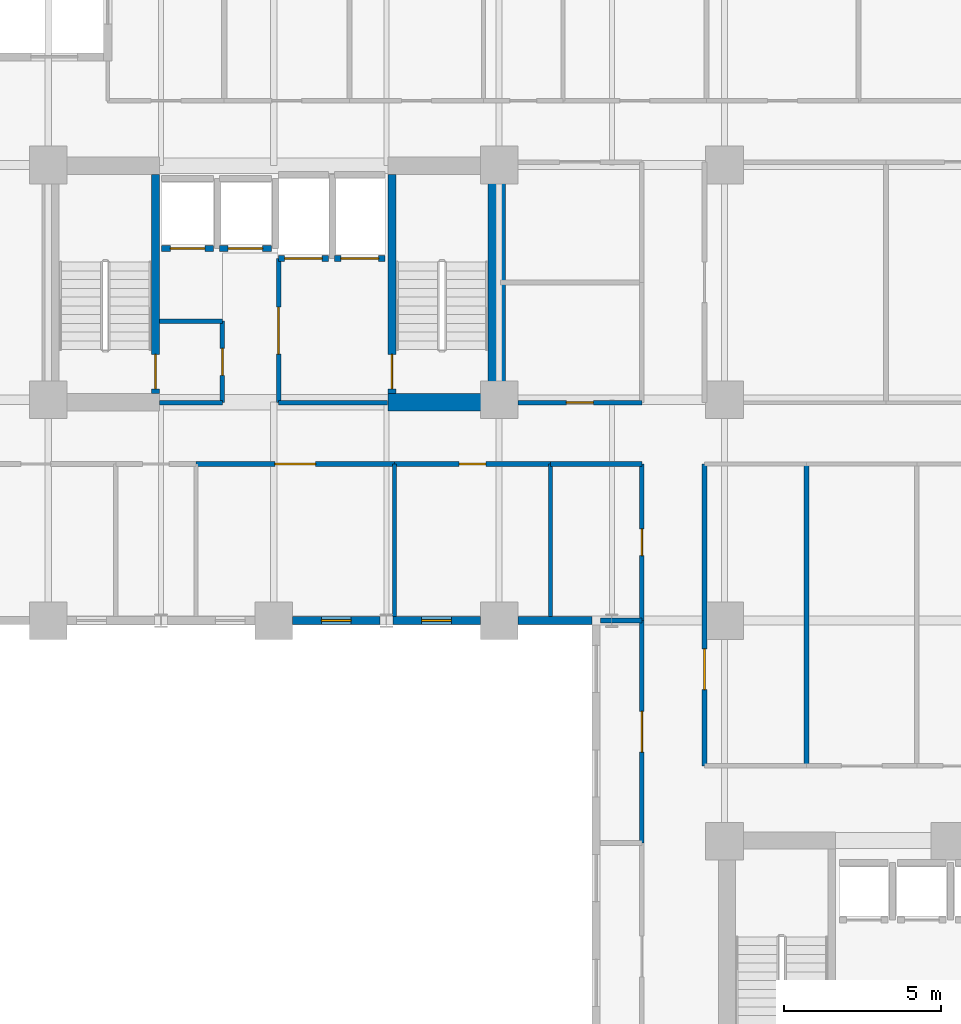
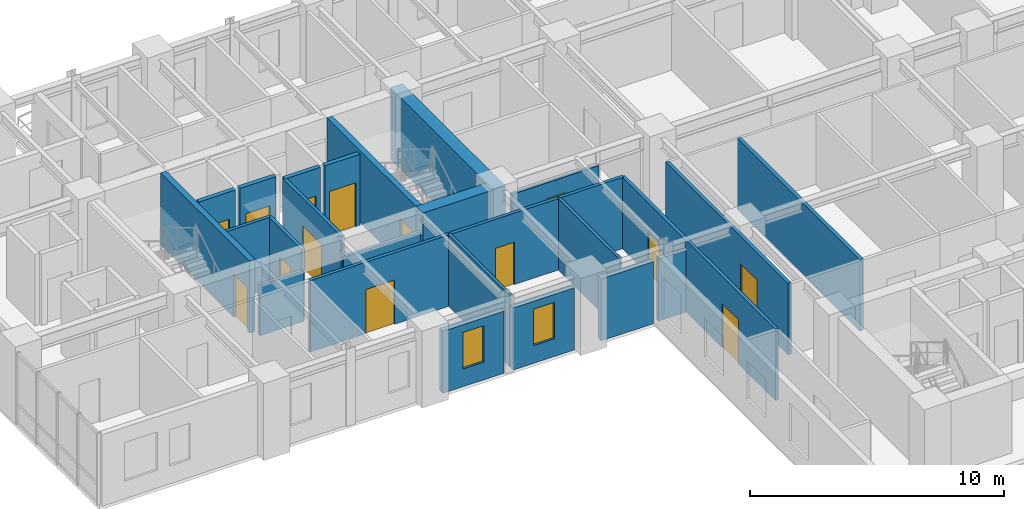
# One storey, part 9 of 18: 27 walls, 14 doors, 2 windows, 16 openings.
"""IFC4 building model written with IfcOpenShell, lengths in metres."""

from ifc_helpers import new_model, si_unit, direction, frame, frame_2d, origin, place, context, subcontext, project, spatial, rectangle, extrude, material, layer, layer_set, type_object, element, fill, save


model = new_model("IFC4")

# Units and contexts
model_context = context("Model", 3, precision=1e-05, world=origin(), true_north=direction((0.0, 1.0)))
body_context = subcontext(model_context, "Body", "Model", "MODEL_VIEW")
ifc_project = project(units=[si_unit("LENGTHUNIT", "METRE"), si_unit("AREAUNIT", "SQUARE_METRE"), si_unit("VOLUMEUNIT", "CUBIC_METRE"), si_unit("PLANEANGLEUNIT", "RADIAN"), si_unit("MASSUNIT", "GRAM", prefix="KILO")], contexts=[model_context])

# Site, building, storey
site_placement = place(None, origin())
site = spatial("IfcSite", under=ifc_project, at=site_placement, CompositionType="ELEMENT")
building_placement = place(site_placement, origin())
building = spatial("IfcBuilding", under=site, at=building_placement, Name="Kaliganga Portal Commons", CompositionType="ELEMENT")
storey_placement = place(building_placement, frame((0.0, 0.0, 123.0)))
storey = spatial("IfcBuildingStorey", under=building, at=storey_placement, Name="L31", CompositionType="ELEMENT", Elevation=123.0)

# Walls
ifc_material_1 = material(Name="Concrete C60/75", Category="concrete")
ifc_layer_1 = layer(ifc_material_1, 0.550048828125)
ifc_layer_set_1 = layer_set([ifc_layer_1], Name="Concrete C60/75")
wall_type_1 = type_object("IfcWallType", Name="WL-CORE-550", PredefinedType="SHEAR", material=ifc_layer_set_1)
wall_1_placement = place(storey_placement, frame((28.72509765625, 28.300048828125, 0.0), z_axis=(0.0, 0.0, 1.0), x_axis=(0.0, 1.0, 0.0)))
element("IfcWall", 1, at=wall_1_placement, inside=storey, type_object=wall_type_1, Name="Core A East Shear Wall L31", PredefinedType="SHEAR", context=body_context, shape_type="SweptSolid", body=[
    extrude(rectangle(XDim=8.099853515625, YDim=0.550048828125, at=frame_2d((4.0498046875, 0.0))), origin(), (0.0, 0.0, 1.0), 3.449951171875),
])
wall_2_placement = place(storey_placement, frame((25.25, 28.574951171875, 0.0), z_axis=(0.0, 0.0, 1.0), x_axis=(1.0, 0.0, 0.0)))
element("IfcWall", 2, at=wall_2_placement, inside=storey, type_object=wall_type_1, Name="Core A S-East Shear Wall L31", PredefinedType="SHEAR", context=body_context, shape_type="SweptSolid", body=[
    extrude(rectangle(XDim=3.199951171875, YDim=0.550048828125, at=frame_2d((1.60009765625, 0.0))), origin(), (0.0, 0.0, 1.0), 3.449951171875),
])

# Wall, opening, window
ifc_material_2 = material(Name="Insulated Aluminium-Clad Spandrel Assembly", Category="aluminium")
ifc_layer_2 = layer(ifc_material_2, 0.260009765625)
ifc_layer_set_2 = layer_set([ifc_layer_2], Name="Insulated Aluminium-Clad Spandrel Assembly")
wall_type_2 = type_object("IfcWallType", Name="WL-EXT-SPAND-260", PredefinedType="STANDARD", material=ifc_layer_set_2)
wall_3_placement = place(storey_placement, frame((24.994384765625, 21.60009765625, 0.0), z_axis=(0.0, 0.0, 1.0), x_axis=(-1.0, 0.0, 0.0)))
wall_3 = element("IfcWall", 3, at=wall_3_placement, inside=storey, type_object=wall_type_2, Name="Exterior Envelope Wall L31 P1-E10-S4", PredefinedType="STANDARD", context=body_context, shape_type="SweptSolid", body=[
    extrude(rectangle(XDim=2.79345703125, YDim=0.260009765625, at=frame_2d((1.396728515625, 0.0))), origin(), (0.0, 0.0, 1.0), 2.97998046875),
])
opening_1_placement = place(wall_3_placement, frame((0.921630859375, 0.0, 0.85009765625)))
opening_1 = element("IfcOpeningElement", 4, at=opening_1_placement, cuts=wall_3, Name="Opening W-04", PredefinedType="OPENING", context=body_context, shape_type="SweptSolid", body=[
    extrude(rectangle(XDim=0.949951171875, YDim=1.75, at=frame_2d((0.47509765625, 0.875))), frame((0.0, 0.14013671875, 0.0), z_axis=(0.0, -1.0, 0.0), x_axis=(1.0, 0.0, 0.0)), (0.0, 0.0, 1.0), 0.280029296875),
])
ifc_material_3 = material(Name="Thermally Broken Aluminium and Low-E Double Glazing", Category="aluminium")
window_type = type_object("IfcWindowType", Name="WIN-NARROW-950", PartitioningType="SINGLE_PANEL", PredefinedType="WINDOW", material=ifc_material_3)
window_1_placement = place(opening_1_placement, origin())
window_1 = element("IfcWindow", 5, at=window_1_placement, inside=storey, type_object=window_type, Name="Facade Window L31-P1E10S4-00", OverallHeight=1.75, OverallWidth=0.949951171875, PartitioningType="SINGLE_PANEL", PredefinedType="WINDOW", context=body_context, shape_type="SweptSolid", body=[
    extrude(rectangle(XDim=0.949951171875, YDim=1.75, at=frame_2d((0.47509765625, 0.875))), frame((0.0, 0.030029296875, 0.0), z_axis=(0.0, -1.0, 0.0), x_axis=(1.0, 0.0, 0.0)), (0.0, 0.0, 1.0), 0.06005859375),
])
fill(opening_1, window_1)

wall_4_placement = place(storey_placement, frame((28.198974609375, 21.60009765625, 0.0), z_axis=(0.0, 0.0, 1.0), x_axis=(-1.0, 0.0, 0.0)))
wall_4 = element("IfcWall", 6, at=wall_4_placement, inside=storey, type_object=wall_type_2, Name="Exterior Envelope Wall L31 P1-E10-S5", PredefinedType="STANDARD", context=body_context, shape_type="SweptSolid", body=[
    extrude(rectangle(XDim=2.79345703125, YDim=0.260009765625, at=frame_2d((1.396728515625, 0.0))), origin(), (0.0, 0.0, 1.0), 2.97998046875),
])
opening_2_placement = place(wall_4_placement, frame((0.921875, 0.0, 0.85009765625)))
opening_2 = element("IfcOpeningElement", 7, at=opening_2_placement, cuts=wall_4, Name="Opening W-04", PredefinedType="OPENING", context=body_context, shape_type="SweptSolid", body=[
    extrude(rectangle(XDim=0.949951171875, YDim=1.75, at=frame_2d((0.47509765625, 0.875))), frame((0.0, 0.14013671875, 0.0), z_axis=(0.0, -1.0, 0.0), x_axis=(1.0, 0.0, 0.0)), (0.0, 0.0, 1.0), 0.280029296875),
])
window_2_placement = place(opening_2_placement, origin())
window_2 = element("IfcWindow", 8, at=window_2_placement, inside=storey, type_object=window_type, Name="Facade Window L31-P1E10S5-00", OverallHeight=1.75, OverallWidth=0.949951171875, PartitioningType="SINGLE_PANEL", PredefinedType="WINDOW", context=body_context, shape_type="SweptSolid", body=[
    extrude(rectangle(XDim=0.949951171875, YDim=1.75, at=frame_2d((0.47509765625, 0.875))), frame((0.0, 0.030029296875, 0.0), z_axis=(0.0, -1.0, 0.0), x_axis=(1.0, 0.0, 0.0)), (0.0, 0.0, 1.0), 0.06005859375),
])
fill(opening_2, window_2)

# Wall
wall_5_placement = place(storey_placement, frame((31.764892578125, 21.60009765625, 0.0), z_axis=(0.0, 0.0, 1.0), x_axis=(-1.0, 0.0, 0.0)))
element("IfcWall", 9, at=wall_5_placement, inside=storey, type_object=wall_type_2, Name="Exterior Envelope Wall L31 P1-E10-S6", PredefinedType="STANDARD", context=body_context, shape_type="SweptSolid", body=[
    extrude(rectangle(XDim=2.364013671875, YDim=0.260009765625, at=frame_2d((1.18212890625, 0.0))), origin(), (0.0, 0.0, 1.0), 2.97998046875),
])

# Wall, opening, door
ifc_material_4 = material(Name="Fire-Rated Gypsum Board on Steel Stud", Category="steel")
ifc_layer_3 = layer(ifc_material_4, 0.14990234375)
ifc_layer_set_3 = layer_set([ifc_layer_3], Name="Fire-Rated Gypsum Board on Steel Stud")
wall_type_3 = type_object("IfcWallType", Name="WL-PART-CORR-150", PredefinedType="PARTITIONING", material=ifc_layer_set_3)
wall_6_placement = place(storey_placement, frame((35.360107421875, 16.9599609375, 0.0), z_axis=(0.0, 0.0, 1.0), x_axis=(0.0, 1.0, 0.0)))
wall_6 = element("IfcWall", 10, at=wall_6_placement, inside=storey, type_object=wall_type_3, Name="Interior Partition L31-004", PredefinedType="PARTITIONING", context=body_context, shape_type="SweptSolid", body=[
    extrude(rectangle(XDim=9.64013671875, YDim=0.14990234375, at=frame_2d((4.820068359375, 0.0))), origin(), (0.0, 0.0, 1.0), 3.429931640625),
])
opening_3_placement = place(wall_6_placement, frame((2.434814453125, 0.0, 0.0)))
opening_3 = element("IfcOpeningElement", 11, at=opening_3_placement, cuts=wall_6, Name="Opening RD-03", PredefinedType="OPENING", context=body_context, shape_type="SweptSolid", body=[
    extrude(rectangle(XDim=1.300048828125, YDim=2.1201171875, at=frame_2d((0.64990234375, 1.06005859375))), frame((0.0, 0.0849609375, 0.0), z_axis=(0.0, -1.0, 0.0), x_axis=(1.0, 0.0, 0.0)), (0.0, 0.0, 1.0), 0.169921875),
])
ifc_material_5 = material(Name="Glazed Timber Seminar Vision Door", Category="wood")
door_type_1 = type_object("IfcDoorType", Name="DR-STUDY-1300", OperationType="DOUBLE_DOOR_SINGLE_SWING", PredefinedType="DOOR", material=ifc_material_5)
door_1_placement = place(opening_3_placement, origin())
door_1 = element("IfcDoor", 12, at=door_1_placement, inside=storey, type_object=door_type_1, Name="Interior Door L31-BM01", OperationType="DOUBLE_DOOR_SINGLE_SWING", OverallHeight=2.1201171875, OverallWidth=1.300048828125, PredefinedType="DOOR", context=body_context, shape_type="SweptSolid", body=[
    extrude(rectangle(XDim=1.300048828125, YDim=2.1201171875, at=frame_2d((0.64990234375, 1.06005859375))), frame((0.0, 0.02490234375, 0.0), z_axis=(0.0, -1.0, 0.0), x_axis=(1.0, 0.0, 0.0)), (0.0, 0.0, 1.0), 0.050048828125),
])
fill(opening_3, door_1)

wall_7_placement = place(storey_placement, frame((33.360107421875, 14.5, 0.0), z_axis=(0.0, 0.0, 1.0), x_axis=(0.0, 1.0, 0.0)))
wall_7 = element("IfcWall", 13, at=wall_7_placement, inside=storey, type_object=wall_type_3, Name="Interior Partition L31-011", PredefinedType="PARTITIONING", context=body_context, shape_type="SweptSolid", body=[
    extrude(rectangle(XDim=7.10009765625, YDim=0.14990234375, at=frame_2d((3.550048828125, 0.0))), origin(), (0.0, 0.0, 1.0), 3.429931640625),
])
opening_4_placement = place(wall_7_placement, frame((2.89990234375, 0.0, 0.0)))
opening_4 = element("IfcOpeningElement", 14, at=opening_4_placement, cuts=wall_7, Name="Opening RD-03", PredefinedType="OPENING", context=body_context, shape_type="SweptSolid", body=[
    extrude(rectangle(XDim=1.300048828125, YDim=2.1201171875, at=frame_2d((0.64990234375, 1.06005859375))), frame((0.0, 0.0849609375, 0.0), z_axis=(0.0, -1.0, 0.0), x_axis=(1.0, 0.0, 0.0)), (0.0, 0.0, 1.0), 0.169921875),
])
door_2_placement = place(opening_4_placement, origin())
door_2 = element("IfcDoor", 15, at=door_2_placement, inside=storey, type_object=door_type_1, Name="Interior Door L31-KW02", OperationType="DOUBLE_DOOR_SINGLE_SWING", OverallHeight=2.1201171875, OverallWidth=1.300048828125, PredefinedType="DOOR", context=body_context, shape_type="SweptSolid", body=[
    extrude(rectangle(XDim=1.300048828125, YDim=2.1201171875, at=frame_2d((0.64990234375, 1.06005859375))), frame((0.0, 0.02490234375, 0.0), z_axis=(0.0, -1.0, 0.0), x_axis=(1.0, 0.0, 0.0)), (0.0, 0.0, 1.0), 0.050048828125),
])
fill(opening_4, door_2)

wall_8_placement = place(storey_placement, frame((19.1201171875, 26.60009765625, 0.0), z_axis=(0.0, 0.0, 1.0), x_axis=(1.0, 0.0, 0.0)))
wall_8 = element("IfcWall", 16, at=wall_8_placement, inside=storey, type_object=wall_type_3, Name="Interior Partition L31-012", PredefinedType="PARTITIONING", context=body_context, shape_type="SweptSolid", body=[
    extrude(rectangle(XDim=6.33984375, YDim=0.14990234375, at=frame_2d((3.169921875, 0.0))), origin(), (0.0, 0.0, 1.0), 3.429931640625),
])
opening_5_placement = place(wall_8_placement, frame((2.52001953125, 0.0, 0.0)))
opening_5 = element("IfcOpeningElement", 17, at=opening_5_placement, cuts=wall_8, Name="Opening RD-03", PredefinedType="OPENING", context=body_context, shape_type="SweptSolid", body=[
    extrude(rectangle(XDim=1.300048828125, YDim=2.1201171875, at=frame_2d((0.64990234375, 1.06005859375))), frame((0.0, 0.0849609375, 0.0), z_axis=(0.0, -1.0, 0.0), x_axis=(1.0, 0.0, 0.0)), (0.0, 0.0, 1.0), 0.169921875),
])
door_3_placement = place(opening_5_placement, origin())
door_3 = element("IfcDoor", 18, at=door_3_placement, inside=storey, type_object=door_type_1, Name="Interior Door L31-AS04", OperationType="DOUBLE_DOOR_SINGLE_SWING", OverallHeight=2.1201171875, OverallWidth=1.300048828125, PredefinedType="DOOR", context=body_context, shape_type="SweptSolid", body=[
    extrude(rectangle(XDim=1.300048828125, YDim=2.1201171875, at=frame_2d((0.64990234375, 1.06005859375))), frame((0.0, 0.02490234375, 0.0), z_axis=(0.0, -1.0, 0.0), x_axis=(1.0, 0.0, 0.0)), (0.0, 0.0, 1.0), 0.050048828125),
])
fill(opening_5, door_3)

wall_9_placement = place(storey_placement, frame((33.360107421875, 21.60009765625, 0.0), z_axis=(0.0, 0.0, 1.0), x_axis=(0.0, 1.0, 0.0)))
wall_9 = element("IfcWall", 19, at=wall_9_placement, inside=storey, type_object=wall_type_3, Name="Interior Partition L31-016", PredefinedType="PARTITIONING", context=body_context, shape_type="SweptSolid", body=[
    extrude(rectangle(XDim=5.0, YDim=0.14990234375, at=frame_2d((2.5, 0.0))), origin(), (0.0, 0.0, 1.0), 3.429931640625),
])
opening_6_placement = place(wall_9_placement, frame((2.070068359375, 0.0, 0.0)))
opening_6 = element("IfcOpeningElement", 20, at=opening_6_placement, cuts=wall_9, Name="Opening WD-02", PredefinedType="OPENING", context=body_context, shape_type="SweptSolid", body=[
    extrude(rectangle(XDim=0.860107421875, YDim=2.02001953125, at=frame_2d((0.43017578125, 1.010009765625))), frame((0.0, 0.0849609375, 0.0), z_axis=(0.0, -1.0, 0.0), x_axis=(1.0, 0.0, 0.0)), (0.0, 0.0, 1.0), 0.169921875),
])
ifc_material_6 = material(Name="Fire-Rated Utility Closet Door", Category="wood")
door_type_2 = type_object("IfcDoorType", Name="DR-STORE-800", OperationType="NOTDEFINED", PredefinedType="DOOR", material=ifc_material_6)
door_4_placement = place(opening_6_placement, origin())
door_4 = element("IfcDoor", 21, at=door_4_placement, inside=storey, type_object=door_type_2, Name="Interior Door L31-AS06", OperationType="SINGLE_SWING_RIGHT", OverallHeight=2.02001953125, OverallWidth=0.860107421875, PredefinedType="DOOR", context=body_context, shape_type="SweptSolid", body=[
    extrude(rectangle(XDim=0.860107421875, YDim=2.02001953125, at=frame_2d((0.43017578125, 1.010009765625))), frame((0.0, 0.02490234375, 0.0), z_axis=(0.0, -1.0, 0.0), x_axis=(1.0, 0.0, 0.0)), (0.0, 0.0, 1.0), 0.050048828125),
])
fill(opening_6, door_4)

wall_10_placement = place(storey_placement, frame((25.4599609375, 26.60009765625, 0.0), z_axis=(0.0, 0.0, 1.0), x_axis=(1.0, 0.0, 0.0)))
wall_10 = element("IfcWall", 22, at=wall_10_placement, inside=storey, type_object=wall_type_3, Name="Interior Partition L31-017", PredefinedType="PARTITIONING", context=body_context, shape_type="SweptSolid", body=[
    extrude(rectangle(XDim=4.97998046875, YDim=0.14990234375, at=frame_2d((2.489990234375, 0.0))), origin(), (0.0, 0.0, 1.0), 3.429931640625),
])
opening_7_placement = place(wall_10_placement, frame((2.06494140625, 0.0, 0.0)))
opening_7 = element("IfcOpeningElement", 23, at=opening_7_placement, cuts=wall_10, Name="Opening WD-01", PredefinedType="OPENING", context=body_context, shape_type="SweptSolid", body=[
    extrude(rectangle(XDim=0.85009765625, YDim=2.0400390625, at=frame_2d((0.425048828125, 1.02001953125))), frame((0.0, 0.0849609375, 0.0), z_axis=(0.0, -1.0, 0.0), x_axis=(1.0, 0.0, 0.0)), (0.0, 0.0, 1.0), 0.169921875),
])
ifc_material_7 = material(Name="Moisture-Resistant Laminate Timber Door", Category="wood")
door_type_3 = type_object("IfcDoorType", Name="DR-WET-850", OperationType="NOTDEFINED", PredefinedType="DOOR", material=ifc_material_7)
door_5_placement = place(opening_7_placement, origin())
door_5 = element("IfcDoor", 24, at=door_5_placement, inside=storey, type_object=door_type_3, Name="Interior Door L31-AS05", OperationType="SINGLE_SWING_LEFT", OverallHeight=2.0400390625, OverallWidth=0.85009765625, PredefinedType="DOOR", context=body_context, shape_type="SweptSolid", body=[
    extrude(rectangle(XDim=0.85009765625, YDim=2.0400390625, at=frame_2d((0.425048828125, 1.02001953125))), frame((0.0, 0.02490234375, 0.0), z_axis=(0.0, -1.0, 0.0), x_axis=(1.0, 0.0, 0.0)), (0.0, 0.0, 1.0), 0.050048828125),
])
fill(opening_7, door_5)

wall_11_placement = place(storey_placement, frame((29.39990234375, 28.56005859375, 0.0), z_axis=(0.0, 0.0, 1.0), x_axis=(1.0, 0.0, 0.0)))
wall_11 = element("IfcWall", 25, at=wall_11_placement, inside=storey, type_object=wall_type_3, Name="Interior Partition L31-024", PredefinedType="PARTITIONING", context=body_context, shape_type="SweptSolid", body=[
    extrude(rectangle(XDim=3.960205078125, YDim=0.14990234375, at=frame_2d((1.97998046875, 0.0))), origin(), (0.0, 0.0, 1.0), 2.780029296875),
])
opening_8_placement = place(wall_11_placement, frame((1.550048828125, 0.0, 0.0)))
opening_8 = element("IfcOpeningElement", 26, at=opening_8_placement, cuts=wall_11, Name="Opening WD-02", PredefinedType="OPENING", context=body_context, shape_type="SweptSolid", body=[
    extrude(rectangle(XDim=0.860107421875, YDim=2.02001953125, at=frame_2d((0.43017578125, 1.010009765625))), frame((0.0, 0.0849609375, 0.0), z_axis=(0.0, -1.0, 0.0), x_axis=(1.0, 0.0, 0.0)), (0.0, 0.0, 1.0), 0.169921875),
])
door_6_placement = place(opening_8_placement, origin())
door_6 = element("IfcDoor", 27, at=door_6_placement, inside=storey, type_object=door_type_2, Name="Interior Door L31-CSRV_A1", OperationType="SINGLE_SWING_LEFT", OverallHeight=2.02001953125, OverallWidth=0.860107421875, PredefinedType="DOOR", context=body_context, shape_type="SweptSolid", body=[
    extrude(rectangle(XDim=0.860107421875, YDim=2.02001953125, at=frame_2d((0.43017578125, 1.010009765625))), frame((0.0, 0.02490234375, 0.0), z_axis=(0.0, -1.0, 0.0), x_axis=(1.0, 0.0, 0.0)), (0.0, 0.0, 1.0), 0.050048828125),
])
fill(opening_8, door_6)

# Wall
wall_12_placement = place(storey_placement, frame((30.43994140625, 26.60009765625, 0.0), z_axis=(0.0, 0.0, 1.0), x_axis=(1.0, 0.0, 0.0)))
element("IfcWall", 28, at=wall_12_placement, inside=storey, type_object=wall_type_3, Name="Interior Partition L31-034", PredefinedType="PARTITIONING", context=body_context, shape_type="SweptSolid", body=[
    extrude(rectangle(XDim=2.920166015625, YDim=0.14990234375, at=frame_2d((1.4599609375, 0.0))), origin(), (0.0, 0.0, 1.0), 3.429931640625),
])

# Wall, opening, door
wall_13_placement = place(storey_placement, frame((19.9599609375, 28.56005859375, 0.0), z_axis=(0.0, 0.0, 1.0), x_axis=(0.0, 1.0, 0.0)))
wall_13 = element("IfcWall", 29, at=wall_13_placement, inside=storey, type_object=wall_type_3, Name="Interior Partition L31-035", PredefinedType="PARTITIONING", context=body_context, shape_type="SweptSolid", body=[
    extrude(rectangle(XDim=2.599853515625, YDim=0.14990234375, at=frame_2d((1.2998046875, 0.0))), origin(), (0.0, 0.0, 1.0), 3.429931640625),
])
opening_9_placement = place(wall_13_placement, frame((0.8701171875, 0.0, 0.0)))
opening_9 = element("IfcOpeningElement", 30, at=opening_9_placement, cuts=wall_13, Name="Opening WD-02", PredefinedType="OPENING", context=body_context, shape_type="SweptSolid", body=[
    extrude(rectangle(XDim=0.860107421875, YDim=2.02001953125, at=frame_2d((0.43017578125, 1.010009765625))), frame((0.0, 0.0849609375, 0.0), z_axis=(0.0, -1.0, 0.0), x_axis=(1.0, 0.0, 0.0)), (0.0, 0.0, 1.0), 0.169921875),
])
door_7_placement = place(opening_9_placement, origin())
door_7 = element("IfcDoor", 31, at=door_7_placement, inside=storey, type_object=door_type_2, Name="Interior Door L31-CIN_A1", OperationType="SINGLE_SWING_RIGHT", OverallHeight=2.02001953125, OverallWidth=0.860107421875, PredefinedType="DOOR", context=body_context, shape_type="SweptSolid", body=[
    extrude(rectangle(XDim=0.860107421875, YDim=2.02001953125, at=frame_2d((0.43017578125, 1.010009765625))), frame((0.0, 0.02490234375, 0.0), z_axis=(0.0, -1.0, 0.0), x_axis=(1.0, 0.0, 0.0)), (0.0, 0.0, 1.0), 0.050048828125),
])
fill(opening_9, door_7)

# Walls
wall_14_placement = place(storey_placement, frame((17.9599609375, 28.56005859375, 0.0), z_axis=(0.0, 0.0, 1.0), x_axis=(1.0, 0.0, 0.0)))
element("IfcWall", 32, at=wall_14_placement, inside=storey, type_object=wall_type_3, Name="Interior Partition L31-039", PredefinedType="PARTITIONING", context=body_context, shape_type="SweptSolid", body=[
    extrude(rectangle(XDim=2.0, YDim=0.14990234375, at=frame_2d((1.0, 0.0))), origin(), (0.0, 0.0, 1.0), 2.429931640625),
])
wall_15_placement = place(storey_placement, frame((17.9599609375, 31.159912109375, 0.0), z_axis=(0.0, 0.0, 1.0), x_axis=(1.0, 0.0, 0.0)))
element("IfcWall", 33, at=wall_15_placement, inside=storey, type_object=wall_type_3, Name="Interior Partition L31-040", PredefinedType="PARTITIONING", context=body_context, shape_type="SweptSolid", body=[
    extrude(rectangle(XDim=2.0, YDim=0.14990234375, at=frame_2d((1.0, 0.0))), origin(), (0.0, 0.0, 1.0), 3.429931640625),
])

# Wall, opening, door
wall_16_placement = place(storey_placement, frame((21.760009765625, 28.56005859375, 0.0), z_axis=(0.0, 0.0, 1.0), x_axis=(0.0, 1.0, 0.0)))
wall_16 = element("IfcWall", 34, at=wall_16_placement, inside=storey, type_object=wall_type_3, Name="Interior Partition L31-073", PredefinedType="PARTITIONING", context=body_context, shape_type="SweptSolid", body=[
    extrude(rectangle(XDim=4.599853515625, YDim=0.14990234375, at=frame_2d((2.2998046875, 0.0))), origin(), (0.0, 0.0, 1.0), 3.429931640625),
])
opening_10_placement = place(wall_16_placement, frame((1.550048828125, 0.0, 0.0)))
opening_10 = element("IfcOpeningElement", 35, at=opening_10_placement, cuts=wall_16, Name="Opening FD-01", PredefinedType="OPENING", context=body_context, shape_type="SweptSolid", body=[
    extrude(rectangle(XDim=1.5, YDim=2.10009765625, at=frame_2d((0.75, 1.050048828125))), frame((0.0, 0.0849609375, 0.0), z_axis=(0.0, -1.0, 0.0), x_axis=(1.0, 0.0, 0.0)), (0.0, 0.0, 1.0), 0.169921875),
])
ifc_material_8 = material(Name="Fire-Rated Hardwood and Georgian-Wired Vision Panel", Category="wood")
door_type_4 = type_object("IfcDoorType", Name="DR-LOBBY-1500", OperationType="DOUBLE_DOOR_SINGLE_SWING", PredefinedType="DOOR", material=ifc_material_8)
door_8_placement = place(opening_10_placement, origin())
door_8 = element("IfcDoor", 36, at=door_8_placement, inside=storey, type_object=door_type_4, Name="Interior Door L31-FFLOB_A", OperationType="DOUBLE_DOOR_SINGLE_SWING", OverallHeight=2.10009765625, OverallWidth=1.5, PredefinedType="DOOR", context=body_context, shape_type="SweptSolid", body=[
    extrude(rectangle(XDim=1.5, YDim=2.10009765625, at=frame_2d((0.75, 1.050048828125))), frame((0.0, 0.02490234375, 0.0), z_axis=(0.0, -1.0, 0.0), x_axis=(1.0, 0.0, 0.0)), (0.0, 0.0, 1.0), 0.050048828125),
])
fill(opening_10, door_8)

# Walls
wall_17_placement = place(storey_placement, frame((21.760009765625, 28.56005859375, 0.0), z_axis=(0.0, 0.0, 1.0), x_axis=(1.0, 0.0, 0.0)))
element("IfcWall", 37, at=wall_17_placement, inside=storey, type_object=wall_type_3, Name="Interior Partition L31-077", PredefinedType="PARTITIONING", context=body_context, shape_type="SweptSolid", body=[
    extrude(rectangle(XDim=3.47998046875, YDim=0.14990234375, at=frame_2d((1.739990234375, 0.0))), origin(), (0.0, 0.0, 1.0), 2.429931640625),
])
ifc_material_9 = material(Name="Twin-Stud Acoustic Gypsum Partition", Category="gypsum")
ifc_layer_4 = layer(ifc_material_9, 0.1650390625)
ifc_layer_set_4 = layer_set([ifc_layer_4], Name="Twin-Stud Acoustic Gypsum Partition")
wall_type_4 = type_object("IfcWallType", Name="WL-PART-UNIT-165", PredefinedType="PARTITIONING", material=ifc_layer_set_4)
wall_18_placement = place(storey_placement, frame((38.6201171875, 16.9599609375, 0.0), z_axis=(0.0, 0.0, 1.0), x_axis=(0.0, 1.0, 0.0)))
element("IfcWall", 38, at=wall_18_placement, inside=storey, type_object=wall_type_4, Name="Interior Partition L31-043", PredefinedType="PARTITIONING", context=body_context, shape_type="SweptSolid", body=[
    extrude(rectangle(XDim=9.64013671875, YDim=0.1650390625, at=frame_2d((4.820068359375, 0.0))), origin(), (0.0, 0.0, 1.0), 3.429931640625),
])
wall_19_placement = place(storey_placement, frame((32.031982421875, 21.60009765625, 0.0), z_axis=(0.0, 0.0, 1.0), x_axis=(1.0, 0.0, 0.0)))
element("IfcWall", 39, at=wall_19_placement, inside=storey, type_object=wall_type_4, Name="Interior Partition L31-081", PredefinedType="PARTITIONING", context=body_context, shape_type="SweptSolid", body=[
    extrude(rectangle(XDim=1.328125, YDim=0.1650390625, at=frame_2d((0.6640625, 0.0))), origin(), (0.0, 0.0, 1.0), 2.97998046875),
])
ifc_material_10 = material(Name="Cement-Board Wet-Room Partition", Category="gypsum")
ifc_layer_5 = layer(ifc_material_10, 0.135009765625)
ifc_layer_set_5 = layer_set([ifc_layer_5], Name="Cement-Board Wet-Room Partition")
wall_type_5 = type_object("IfcWallType", Name="WL-PART-WET-135", PredefinedType="PARTITIONING", material=ifc_layer_set_5)
for number, where, z_axis, x_axis, name in (
    (40, (25.4599609375, 21.73193359375, 0.0), (0.0, 0.0, 1.0), (0.0, 1.0, 0.0), "Interior Partition L31-062"),
    (41, (30.43994140625, 21.73193359375, 0.0), (0.0, 0.0, 1.0), (0.0, 1.0, 0.0), "Interior Partition L31-064"),
):
    element("IfcWall", number, at=place(storey_placement, frame(where, z_axis=z_axis, x_axis=x_axis)), inside=storey, type_object=wall_type_5, Name=name, PredefinedType="PARTITIONING", context=body_context, shape_type="SweptSolid", body=[
        extrude(rectangle(XDim=4.8681640625, YDim=0.135009765625, at=frame_2d((2.43408203125, 0.0))), origin(), (0.0, 0.0, 1.0), 3.429931640625),
    ])

# Wall, opening, door
ifc_material_11 = material(Name="Fire-Rated Shaftwall Masonry Assembly", Category="masonry")
ifc_layer_6 = layer(ifc_material_11, 0.199951171875)
ifc_layer_set_6 = layer_set([ifc_layer_6], Name="Fire-Rated Shaftwall Masonry Assembly")
wall_type_6 = type_object("IfcWallType", Name="WL-SHAFT-200", PredefinedType="PARTITIONING", material=ifc_layer_set_6)
wall_20_placement = place(storey_placement, frame((18.02490234375, 33.485107421875, 0.0), z_axis=(0.0, 0.0, 1.0), x_axis=(1.0, 0.0, 0.0)))
wall_20 = element("IfcWall", 42, at=wall_20_placement, inside=storey, type_object=wall_type_6, Name="Lift PL-A1 Hoistway Shaft Wall L31-S", PredefinedType="PARTITIONING", context=body_context, shape_type="SweptSolid", body=[
    extrude(rectangle(XDim=1.650146484375, YDim=0.199951171875, at=frame_2d((0.8251953125, 0.0))), origin(), (0.0, 0.0, 1.0), 3.429931640625),
])
opening_11_placement = place(wall_20_placement, frame((0.27490234375, 0.0, 0.0)))
opening_11 = element("IfcOpeningElement", 43, at=opening_11_placement, cuts=wall_20, Name="Opening LD-01", PredefinedType="OPENING", context=body_context, shape_type="SweptSolid", body=[
    extrude(rectangle(XDim=1.10009765625, YDim=2.1201171875, at=frame_2d((0.550048828125, 1.06005859375))), frame((0.0, 0.10986328125, 0.0), z_axis=(0.0, -1.0, 0.0), x_axis=(1.0, 0.0, 0.0)), (0.0, 0.0, 1.0), 0.219970703125),
])
ifc_material_12 = material(Name="Brushed Stainless Steel 316 Lift Landing Door", Category="steel")
door_type_5 = type_object("IfcDoorType", Name="DR-LIFT-1100", OperationType="SLIDING_TO_LEFT", PredefinedType="DOOR", material=ifc_material_12)
door_9_placement = place(opening_11_placement, origin())
door_9 = element("IfcDoor", 44, at=door_9_placement, inside=storey, type_object=door_type_5, Name="Lift PL-A1 Sliding Landing Door L31", OperationType="SLIDING_TO_LEFT", OverallHeight=2.1201171875, OverallWidth=1.10009765625, PredefinedType="DOOR", context=body_context, shape_type="SweptSolid", body=[
    extrude(rectangle(XDim=1.10009765625, YDim=2.1201171875, at=frame_2d((0.550048828125, 1.06005859375))), frame((0.0, 0.02490234375, 0.0), z_axis=(0.0, -1.0, 0.0), x_axis=(1.0, 0.0, 0.0)), (0.0, 0.0, 1.0), 0.050048828125),
])
fill(opening_11, door_9)

wall_21_placement = place(storey_placement, frame((19.875, 33.485107421875, 0.0), z_axis=(0.0, 0.0, 1.0), x_axis=(1.0, 0.0, 0.0)))
wall_21 = element("IfcWall", 45, at=wall_21_placement, inside=storey, type_object=wall_type_6, Name="Lift PL-A2 Hoistway Shaft Wall L31-S", PredefinedType="PARTITIONING", context=body_context, shape_type="SweptSolid", body=[
    extrude(rectangle(XDim=1.64990234375, YDim=0.199951171875, at=frame_2d((0.824951171875, 0.0))), origin(), (0.0, 0.0, 1.0), 3.429931640625),
])
opening_12_placement = place(wall_21_placement, frame((0.27490234375, 0.0, 0.0)))
opening_12 = element("IfcOpeningElement", 46, at=opening_12_placement, cuts=wall_21, Name="Opening LD-01", PredefinedType="OPENING", context=body_context, shape_type="SweptSolid", body=[
    extrude(rectangle(XDim=1.10009765625, YDim=2.1201171875, at=frame_2d((0.550048828125, 1.06005859375))), frame((0.0, 0.10986328125, 0.0), z_axis=(0.0, -1.0, 0.0), x_axis=(1.0, 0.0, 0.0)), (0.0, 0.0, 1.0), 0.219970703125),
])
door_10_placement = place(opening_12_placement, origin())
door_10 = element("IfcDoor", 47, at=door_10_placement, inside=storey, type_object=door_type_5, Name="Lift PL-A2 Sliding Landing Door L31", OperationType="SLIDING_TO_LEFT", OverallHeight=2.1201171875, OverallWidth=1.10009765625, PredefinedType="DOOR", context=body_context, shape_type="SweptSolid", body=[
    extrude(rectangle(XDim=1.10009765625, YDim=2.1201171875, at=frame_2d((0.550048828125, 1.06005859375))), frame((0.0, 0.02490234375, 0.0), z_axis=(0.0, -1.0, 0.0), x_axis=(1.0, 0.0, 0.0)), (0.0, 0.0, 1.0), 0.050048828125),
])
fill(opening_12, door_10)

wall_22_placement = place(storey_placement, frame((21.75, 33.159912109375, 0.0), z_axis=(0.0, 0.0, 1.0), x_axis=(1.0, 0.0, 0.0)))
wall_22 = element("IfcWall", 48, at=wall_22_placement, inside=storey, type_object=wall_type_6, Name="Lift FFL-1 Hoistway Shaft Wall L31-S", PredefinedType="PARTITIONING", context=body_context, shape_type="SweptSolid", body=[
    extrude(rectangle(XDim=1.60009765625, YDim=0.199951171875, at=frame_2d((0.800048828125, 0.0))), origin(), (0.0, 0.0, 1.0), 3.429931640625),
])
opening_13_placement = place(wall_22_placement, frame((0.199951171875, 0.0, 0.0)))
opening_13 = element("IfcOpeningElement", 49, at=opening_13_placement, cuts=wall_22, Name="Opening LD-02", PredefinedType="OPENING", context=body_context, shape_type="SweptSolid", body=[
    extrude(rectangle(XDim=1.199951171875, YDim=2.1201171875, at=frame_2d((0.60009765625, 1.06005859375))), frame((0.0, 0.10986328125, 0.0), z_axis=(0.0, -1.0, 0.0), x_axis=(1.0, 0.0, 0.0)), (0.0, 0.0, 1.0), 0.219970703125),
])
ifc_material_13 = material(Name="Brushed Stainless Steel 316 Stretcher Lift Landing Door", Category="steel")
door_type_6 = type_object("IfcDoorType", Name="DR-LIFT-1200", OperationType="SLIDING_TO_RIGHT", PredefinedType="DOOR", material=ifc_material_13)
door_11_placement = place(opening_13_placement, origin())
door_11 = element("IfcDoor", 50, at=door_11_placement, inside=storey, type_object=door_type_6, Name="Lift FFL-1 Sliding Landing Door L31", OperationType="SLIDING_TO_RIGHT", OverallHeight=2.1201171875, OverallWidth=1.199951171875, PredefinedType="DOOR", context=body_context, shape_type="SweptSolid", body=[
    extrude(rectangle(XDim=1.199951171875, YDim=2.1201171875, at=frame_2d((0.60009765625, 1.06005859375))), frame((0.0, 0.02490234375, 0.0), z_axis=(0.0, -1.0, 0.0), x_axis=(1.0, 0.0, 0.0)), (0.0, 0.0, 1.0), 0.050048828125),
])
fill(opening_13, door_11)

wall_23_placement = place(storey_placement, frame((23.550048828125, 33.159912109375, 0.0), z_axis=(0.0, 0.0, 1.0), x_axis=(1.0, 0.0, 0.0)))
wall_23 = element("IfcWall", 51, at=wall_23_placement, inside=storey, type_object=wall_type_6, Name="Lift FFL-2 Hoistway Shaft Wall L31-S", PredefinedType="PARTITIONING", context=body_context, shape_type="SweptSolid", body=[
    extrude(rectangle(XDim=1.599853515625, YDim=0.199951171875, at=frame_2d((0.7998046875, 0.0))), origin(), (0.0, 0.0, 1.0), 3.429931640625),
])
opening_14_placement = place(wall_23_placement, frame((0.199951171875, 0.0, 0.0)))
opening_14 = element("IfcOpeningElement", 52, at=opening_14_placement, cuts=wall_23, Name="Opening LD-02", PredefinedType="OPENING", context=body_context, shape_type="SweptSolid", body=[
    extrude(rectangle(XDim=1.199951171875, YDim=2.1201171875, at=frame_2d((0.60009765625, 1.06005859375))), frame((0.0, 0.10986328125, 0.0), z_axis=(0.0, -1.0, 0.0), x_axis=(1.0, 0.0, 0.0)), (0.0, 0.0, 1.0), 0.219970703125),
])
door_12_placement = place(opening_14_placement, origin())
door_12 = element("IfcDoor", 53, at=door_12_placement, inside=storey, type_object=door_type_6, Name="Lift FFL-2 Sliding Landing Door L31", OperationType="SLIDING_TO_RIGHT", OverallHeight=2.1201171875, OverallWidth=1.199951171875, PredefinedType="DOOR", context=body_context, shape_type="SweptSolid", body=[
    extrude(rectangle(XDim=1.199951171875, YDim=2.1201171875, at=frame_2d((0.60009765625, 1.06005859375))), frame((0.0, 0.02490234375, 0.0), z_axis=(0.0, -1.0, 0.0), x_axis=(1.0, 0.0, 0.0)), (0.0, 0.0, 1.0), 0.050048828125),
])
fill(opening_14, door_12)

ifc_material_14 = material(Name="Concrete C50/60", Category="concrete")
ifc_layer_7 = layer(ifc_material_14, 0.25)
ifc_layer_set_7 = layer_set([ifc_layer_7], Name="Concrete C50/60")
wall_type_7 = type_object("IfcWallType", Name="WL-STAIR-250", PredefinedType="SHEAR", material=ifc_layer_set_7)
wall_24_placement = place(storey_placement, frame((17.824951171875, 28.85009765625, 0.0), z_axis=(0.0, 0.0, 1.0), x_axis=(0.0, 1.0, 0.0)))
wall_24 = element("IfcWall", 54, at=wall_24_placement, inside=storey, type_object=wall_type_7, Name="Stair A1 Enclosure Shear Wall L31", PredefinedType="SHEAR", context=body_context, shape_type="SweptSolid", body=[
    extrude(rectangle(XDim=7.0, YDim=0.25, at=frame_2d((3.5, 0.0))), origin(), (0.0, 0.0, 1.0), 3.449951171875),
])
opening_15_placement = place(wall_24_placement, frame((0.14990234375, 0.0, 0.0)))
opening_15 = element("IfcOpeningElement", 55, at=opening_15_placement, cuts=wall_24, Name="Opening SD-01", PredefinedType="OPENING", context=body_context, shape_type="SweptSolid", body=[
    extrude(rectangle(XDim=1.10009765625, YDim=2.080078125, at=frame_2d((0.550048828125, 1.0400390625))), frame((0.0, 0.135009765625, 0.0), z_axis=(0.0, -1.0, 0.0), x_axis=(1.0, 0.0, 0.0)), (0.0, 0.0, 1.0), 0.27001953125),
])
ifc_material_15 = material(Name="Galvanized Steel Fire Door Leaf and Frame", Category="steel")
door_type_7 = type_object("IfcDoorType", Name="DR-STAIR-1100", OperationType="NOTDEFINED", PredefinedType="DOOR", material=ifc_material_15)
door_13_placement = place(opening_15_placement, origin())
door_13 = element("IfcDoor", 56, at=door_13_placement, inside=storey, type_object=door_type_7, Name="Protected Stair ST-A1 Fire Door L31", OperationType="SINGLE_SWING_LEFT", OverallHeight=2.080078125, OverallWidth=1.10009765625, PredefinedType="DOOR", context=body_context, shape_type="SweptSolid", body=[
    extrude(rectangle(XDim=1.10009765625, YDim=2.080078125, at=frame_2d((0.550048828125, 1.0400390625))), frame((0.0, 0.02490234375, 0.0), z_axis=(0.0, -1.0, 0.0), x_axis=(1.0, 0.0, 0.0)), (0.0, 0.0, 1.0), 0.050048828125),
])
fill(opening_15, door_13)

wall_25_placement = place(storey_placement, frame((25.375, 28.85009765625, 0.0), z_axis=(0.0, 0.0, 1.0), x_axis=(0.0, 1.0, 0.0)))
wall_25 = element("IfcWall", 57, at=wall_25_placement, inside=storey, type_object=wall_type_7, Name="Stair A2 Enclosure Shear Wall L31", PredefinedType="SHEAR", context=body_context, shape_type="SweptSolid", body=[
    extrude(rectangle(XDim=7.0, YDim=0.25, at=frame_2d((3.5, 0.0))), origin(), (0.0, 0.0, 1.0), 3.449951171875),
])
opening_16_placement = place(wall_25_placement, frame((0.14990234375, 0.0, 0.0)))
opening_16 = element("IfcOpeningElement", 58, at=opening_16_placement, cuts=wall_25, Name="Opening SD-01", PredefinedType="OPENING", context=body_context, shape_type="SweptSolid", body=[
    extrude(rectangle(XDim=1.10009765625, YDim=2.080078125, at=frame_2d((0.550048828125, 1.0400390625))), frame((0.0, 0.135009765625, 0.0), z_axis=(0.0, -1.0, 0.0), x_axis=(1.0, 0.0, 0.0)), (0.0, 0.0, 1.0), 0.27001953125),
])
door_14_placement = place(opening_16_placement, origin())
door_14 = element("IfcDoor", 59, at=door_14_placement, inside=storey, type_object=door_type_7, Name="Protected Stair ST-A2 Fire Door L31", OperationType="SINGLE_SWING_RIGHT", OverallHeight=2.080078125, OverallWidth=1.10009765625, PredefinedType="DOOR", context=body_context, shape_type="SweptSolid", body=[
    extrude(rectangle(XDim=1.10009765625, YDim=2.080078125, at=frame_2d((0.550048828125, 1.0400390625))), frame((0.0, 0.02490234375, 0.0), z_axis=(0.0, -1.0, 0.0), x_axis=(1.0, 0.0, 0.0)), (0.0, 0.0, 1.0), 0.050048828125),
])
fill(opening_16, door_14)

save(model, "model.ifc")
